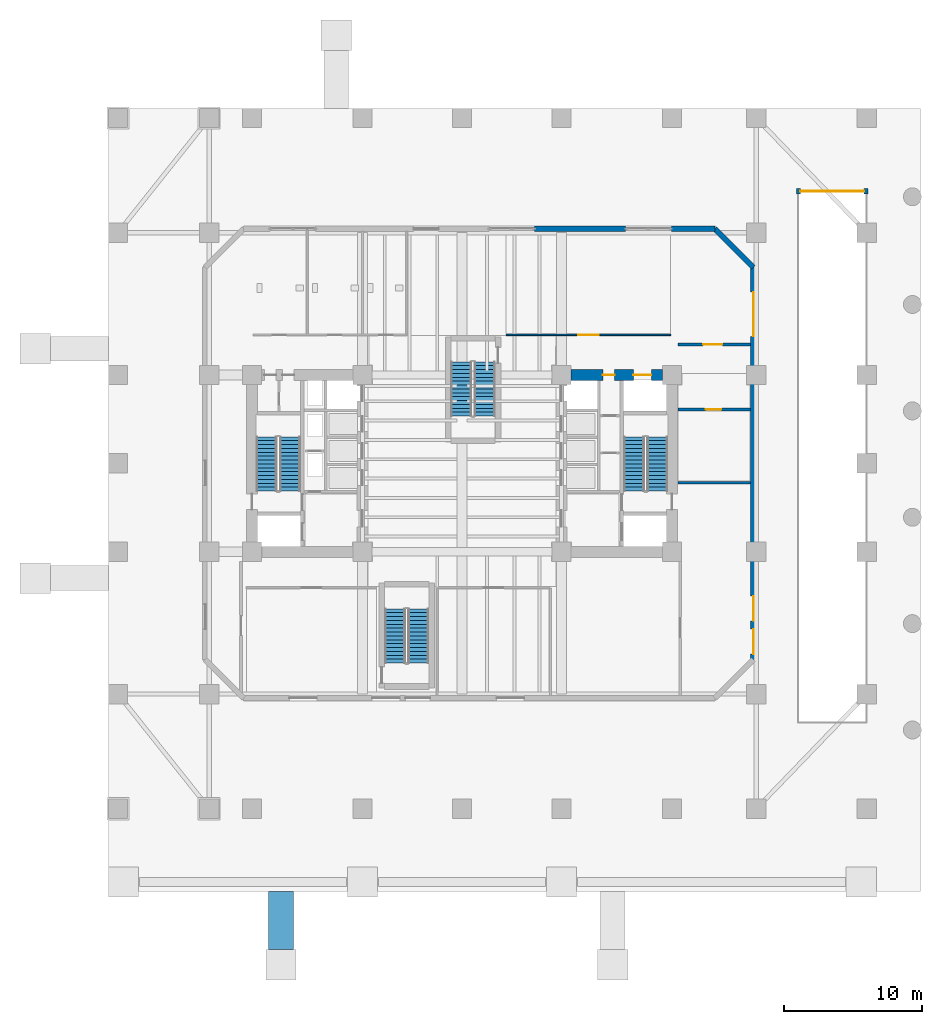
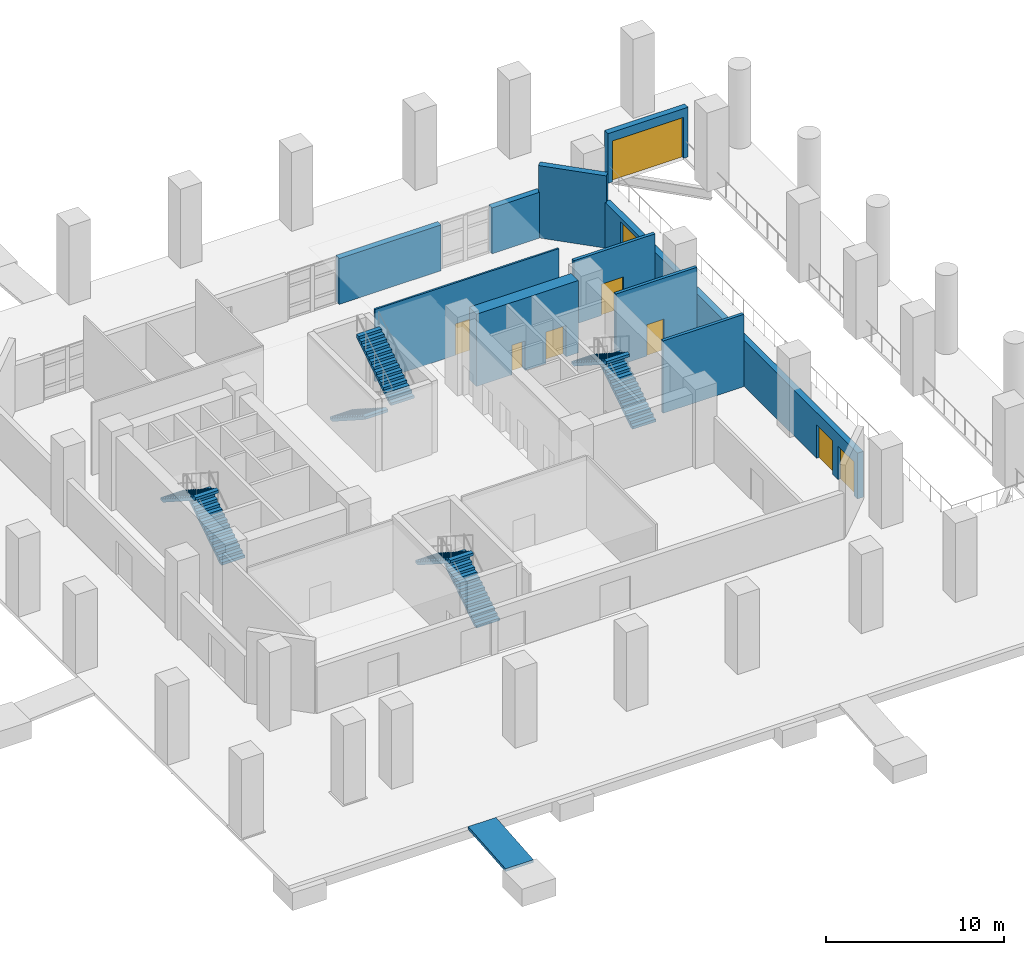
# One storey, part 6 of 12: 10 walls, 9 doors, 8 stair flights, 1 ramp flight, 9 openings, 5 elements without a shape of their own.
"""IFC4 building model written with IfcOpenShell, lengths in metres."""

from ifc_helpers import new_model, si_unit, direction, frame, frame_2d, origin, place, context, subcontext, project, spatial, polyline, rectangle, outline, extrude, material, layer, layer_set, type_object, element, fill, aggregate, save


model = new_model("IFC4")

# Units and contexts
model_context = context("Model", 3, precision=1e-05, world=origin(), true_north=direction((0.0, 1.0)))
body_context = subcontext(model_context, "Body", "Model", "MODEL_VIEW")
ifc_project = project(units=[si_unit("LENGTHUNIT", "METRE"), si_unit("AREAUNIT", "SQUARE_METRE"), si_unit("VOLUMEUNIT", "CUBIC_METRE"), si_unit("PLANEANGLEUNIT", "RADIAN"), si_unit("MASSUNIT", "GRAM", prefix="KILO")], contexts=[model_context])

# Site, building, storey
site_placement = place(None, origin())
site = spatial("IfcSite", under=ifc_project, at=site_placement, CompositionType="ELEMENT")
building_placement = place(site_placement, origin())
building = spatial("IfcBuilding", under=site, at=building_placement, Name="Kranthara Brick Stack", CompositionType="ELEMENT")
storey_placement = place(building_placement, origin())
storey = spatial("IfcBuildingStorey", under=building, at=storey_placement, Name="L00", CompositionType="ELEMENT", Elevation=0.0)

# Walls
ifc_material_1 = material(Name="Kiln-fired clay brick masonry M15", Category="masonry")
ifc_layer_1 = layer(ifc_material_1, 0.3798828125)
ifc_layer_set_1 = layer_set([ifc_layer_1], Name="Kiln-fired clay brick masonry M15")
wall_type_1 = type_object("IfcWallType", Name="WL-BRK-PIER-380", PredefinedType="STANDARD", material=ifc_layer_set_1)
wall_1_placement = place(storey_placement, frame((33.25, 44.18994140625, 0.0), z_axis=(0.0, 0.0, 1.0), x_axis=(1.0, 0.0, 0.0)))
element("IfcWall", 1, at=wall_1_placement, inside=storey, type_object=wall_type_1, Name="L00 Exterior Brick Facade Wall NORTH 3", PredefinedType="STANDARD", context=body_context, shape_type="SweptSolid", body=[
    extrude(rectangle(XDim=6.60009765625, YDim=0.3798828125, at=frame_2d((3.300048828125, 0.0))), origin(), (0.0, 0.0, 1.0), 3.135009765625),
])
wall_2_placement = place(storey_placement, frame((43.14990234375, 44.18994140625, 0.0), z_axis=(0.0, 0.0, 1.0), x_axis=(1.0, 0.0, 0.0)))
element("IfcWall", 2, at=wall_2_placement, inside=storey, type_object=wall_type_1, Name="L00 Exterior Brick Facade Wall NORTH 4", PredefinedType="STANDARD", context=body_context, shape_type="SweptSolid", body=[
    extrude(rectangle(XDim=3.150146484375, YDim=0.3798828125, at=frame_2d((1.5751953125, 0.0))), origin(), (0.0, 0.0, 1.0), 3.135009765625),
])
wall_3_placement = place(storey_placement, frame((46.300048828125, 44.18994140625, 0.0), z_axis=(0.0, 0.0, 1.0), x_axis=(0.707106781187, -0.707106781187, 0.0)))
element("IfcWall", 3, at=wall_3_placement, inside=storey, type_object=wall_type_1, Name="L00 Exterior Brick Facade Wall NE 1", PredefinedType="STANDARD", context=body_context, shape_type="SweptSolid", body=[
    extrude(rectangle(XDim=3.94580078125, YDim=0.3798828125, at=frame_2d((1.972900390625, 0.0))), origin(), (0.0, 0.0, 1.0), 4.949951171875),
])

# Wall, openings, doors
wall_4_placement = place(storey_placement, frame((49.090087890625, 41.39990234375, 0.0), z_axis=(0.0, 0.0, 1.0), x_axis=(0.0, -1.0, 0.0)))
wall_4 = element("IfcWall", 4, at=wall_4_placement, inside=storey, type_object=wall_type_1, Name="L00 Exterior Brick Facade Wall EAST 1", PredefinedType="STANDARD", context=body_context, shape_type="SweptSolid", body=[
    extrude(rectangle(XDim=28.39990234375, YDim=0.3798828125, at=frame_2d((14.199951171875, 0.0))), origin(), (0.0, 0.0, 1.0), 3.135009765625),
])
opening_1_placement = place(wall_4_placement, frame((23.800048828125, 0.0, 0.0)))
opening_1 = element("IfcOpeningElement", 5, at=opening_1_placement, cuts=wall_4, Name="Opening ED01", PredefinedType="OPENING", context=body_context, shape_type="SweptSolid", body=[
    extrude(rectangle(XDim=1.800048828125, YDim=2.300048828125, at=frame_2d((0.89990234375, 1.14990234375))), frame((0.0, 0.199951171875, 0.0), z_axis=(0.0, -1.0, 0.0), x_axis=(1.0, 0.0, 0.0)), (0.0, 0.0, 1.0), 0.39990234375),
])
opening_2_placement = place(wall_4_placement, frame((26.199951171875, 0.0, 0.0)))
opening_2 = element("IfcOpeningElement", 6, at=opening_2_placement, cuts=wall_4, Name="Opening ED01", PredefinedType="OPENING", context=body_context, shape_type="SweptSolid", body=[
    extrude(rectangle(XDim=1.800048828125, YDim=2.300048828125, at=frame_2d((0.89990234375, 1.14990234375))), frame((0.0, 0.199951171875, 0.0), z_axis=(0.0, -1.0, 0.0), x_axis=(1.0, 0.0, 0.0)), (0.0, 0.0, 1.0), 0.39990234375),
])
opening_3_placement = place(wall_4_placement, frame((1.800048828125, 0.0, 0.0)))
opening_3 = element("IfcOpeningElement", 7, at=opening_3_placement, cuts=wall_4, Name="Opening LDK01", PredefinedType="OPENING", context=body_context, shape_type="SweptSolid", body=[
    extrude(rectangle(XDim=3.199951171875, YDim=2.85009765625, at=frame_2d((1.60009765625, 1.425048828125))), frame((0.0, 0.199951171875, 0.0), z_axis=(0.0, -1.0, 0.0), x_axis=(1.0, 0.0, 0.0)), (0.0, 0.0, 1.0), 0.39990234375),
])
ifc_material_2 = material(Name="Bronze anodised aluminium and laminated glass", Category="aluminium")
door_type_1 = type_object("IfcDoorType", Name="DR-DOCK-3200", OperationType="ROLLINGUP", PredefinedType="DOOR", material=ifc_material_2)
door_1_placement = place(opening_3_placement, origin())
door_1 = element("IfcDoor", 8, at=door_1_placement, inside=storey, type_object=door_type_1, Name="L00 Loading Dock Roller Shutter Door LDK-01", OperationType="ROLLINGUP", OverallHeight=2.85009765625, OverallWidth=3.199951171875, PredefinedType="DOOR", context=body_context, shape_type="SweptSolid", body=[
    extrude(rectangle(XDim=3.199951171875, YDim=2.85009765625, at=frame_2d((1.60009765625, 1.425048828125))), frame((0.0, 0.02490234375, 0.0), z_axis=(0.0, -1.0, 0.0), x_axis=(1.0, 0.0, 0.0)), (0.0, 0.0, 1.0), 0.050048828125),
])
fill(opening_3, door_1)
ifc_material_3 = material(Name="Bronze anodised aluminium and laminated glass", Category="aluminium")
door_type_2 = type_object("IfcDoorType", Name="DR-EXIT-1800", OperationType="DOUBLE_DOOR_SINGLE_SWING", PredefinedType="DOOR", material=ifc_material_3)
door_2_placement = place(opening_1_placement, origin())
door_2 = element("IfcDoor", 9, at=door_2_placement, inside=storey, type_object=door_type_2, Name="L00 Final Exit Discharge Door ED-03", OperationType="DOUBLE_DOOR_SINGLE_SWING", OverallHeight=2.300048828125, OverallWidth=1.800048828125, PredefinedType="DOOR", context=body_context, shape_type="SweptSolid", body=[
    extrude(rectangle(XDim=1.800048828125, YDim=2.300048828125, at=frame_2d((0.89990234375, 1.14990234375))), frame((0.0, 0.02490234375, 0.0), z_axis=(0.0, -1.0, 0.0), x_axis=(1.0, 0.0, 0.0)), (0.0, 0.0, 1.0), 0.050048828125),
])
fill(opening_1, door_2)
door_3_placement = place(opening_2_placement, origin())
door_3 = element("IfcDoor", 10, at=door_3_placement, inside=storey, type_object=door_type_2, Name="L00 Final Exit Discharge Door ED-04", OperationType="DOUBLE_DOOR_SINGLE_SWING", OverallHeight=2.300048828125, OverallWidth=1.800048828125, PredefinedType="DOOR", context=body_context, shape_type="SweptSolid", body=[
    extrude(rectangle(XDim=1.800048828125, YDim=2.300048828125, at=frame_2d((0.89990234375, 1.14990234375))), frame((0.0, 0.02490234375, 0.0), z_axis=(0.0, -1.0, 0.0), x_axis=(1.0, 0.0, 0.0)), (0.0, 0.0, 1.0), 0.050048828125),
])
fill(opening_2, door_3)

# Wall, opening, door
wall_5_placement = place(storey_placement, frame((52.199951171875, 46.89990234375, 0.0), z_axis=(0.0, 0.0, 1.0), x_axis=(1.0, 0.0, 0.0)))
wall_5 = element("IfcWall", 11, at=wall_5_placement, inside=storey, type_object=wall_type_1, Name="L00 Car Park Ramp Portal Exterior Wall", PredefinedType="STANDARD", context=body_context, shape_type="SweptSolid", body=[
    extrude(rectangle(XDim=5.199951171875, YDim=0.3798828125, at=frame_2d((2.60009765625, 0.0))), origin(), (0.0, 0.0, 1.0), 3.39990234375),
])
opening_4_placement = place(wall_5_placement, frame((0.300048828125, 0.0, 0.0)))
opening_4 = element("IfcOpeningElement", 12, at=opening_4_placement, cuts=wall_5, Name="Opening VG01", PredefinedType="OPENING", context=body_context, shape_type="SweptSolid", body=[
    extrude(rectangle(XDim=4.60009765625, YDim=2.800048828125, at=frame_2d((2.300048828125, 1.39990234375))), frame((0.0, 0.199951171875, 0.0), z_axis=(0.0, -1.0, 0.0), x_axis=(1.0, 0.0, 0.0)), (0.0, 0.0, 1.0), 0.39990234375),
])
ifc_material_4 = material(Name="Powder-coated galvanized steel sheet", Category="steel")
door_type_3 = type_object("IfcDoorType", Name="DR-VGATE-4600", OperationType="ROLLINGUP", PredefinedType="GATE", material=ifc_material_4)
door_4_placement = place(opening_4_placement, origin())
door_4 = element("IfcDoor", 13, at=door_4_placement, inside=storey, type_object=door_type_3, Name="Car Park Vehicle Ramp Roller Shutter Gate VG-01", OperationType="ROLLINGUP", OverallHeight=2.800048828125, OverallWidth=4.60009765625, PredefinedType="GATE", context=body_context, shape_type="SweptSolid", body=[
    extrude(rectangle(XDim=4.60009765625, YDim=2.800048828125, at=frame_2d((2.300048828125, 1.39990234375))), frame((0.0, 0.02490234375, 0.0), z_axis=(0.0, -1.0, 0.0), x_axis=(1.0, 0.0, 0.0)), (0.0, 0.0, 1.0), 0.050048828125),
])
fill(opening_4, door_4)

# Wall, openings, doors
ifc_material_5 = material(Name="Concrete C70/85", Category="concrete")
ifc_layer_2 = layer(ifc_material_5, 0.800048828125)
ifc_layer_set_2 = layer_set([ifc_layer_2], Name="Concrete C70/85")
wall_type_2 = type_object("IfcWallType", Name="WL-CORE-800", PredefinedType="SHEAR", material=ifc_layer_set_2)
wall_6_placement = place(storey_placement, frame((35.905029296875, 33.60009765625, 0.0), z_axis=(0.0, 0.0, 1.0), x_axis=(1.0, 0.0, 0.0)))
wall_6 = element("IfcWall", 14, at=wall_6_placement, inside=storey, type_object=wall_type_2, Name="L00 East Core Shear Wall North", PredefinedType="SHEAR", context=body_context, shape_type="SweptSolid", body=[
    extrude(rectangle(XDim=6.590087890625, YDim=0.800048828125, at=frame_2d((3.294921875, 0.0))), origin(), (0.0, 0.0, 1.0), 4.949951171875),
])
opening_5_placement = place(wall_6_placement, frame((4.4951171875, 0.0, 0.0)))
opening_5 = element("IfcOpeningElement", 15, at=opening_5_placement, cuts=wall_6, Name="Opening LD03", PredefinedType="OPENING", context=body_context, shape_type="SweptSolid", body=[
    extrude(rectangle(XDim=1.300048828125, YDim=2.14990234375, at=frame_2d((0.64990234375, 1.074951171875))), frame((0.0, 0.409912109375, 0.0), z_axis=(0.0, -1.0, 0.0), x_axis=(1.0, 0.0, 0.0)), (0.0, 0.0, 1.0), 0.820068359375),
])
opening_6_placement = place(wall_6_placement, frame((2.294921875, 0.0, 0.0)))
opening_6 = element("IfcOpeningElement", 16, at=opening_6_placement, cuts=wall_6, Name="Opening D10", PredefinedType="OPENING", context=body_context, shape_type="SweptSolid", body=[
    extrude(rectangle(XDim=0.85009765625, YDim=2.02001953125, at=frame_2d((0.425048828125, 1.010009765625))), frame((0.0, 0.409912109375, 0.0), z_axis=(0.0, -1.0, 0.0), x_axis=(1.0, 0.0, 0.0)), (0.0, 0.0, 1.0), 0.820068359375),
])
ifc_material_6 = material(Name="Stainless steel sliding landing door", Category="steel")
door_type_4 = type_object("IfcDoorType", Name="DR-LD-SV1300", OperationType="DOUBLE_DOOR_SLIDING", PredefinedType="DOOR", material=ifc_material_6)
door_5_placement = place(opening_5_placement, origin())
door_5 = element("IfcDoor", 17, at=door_5_placement, inside=storey, type_object=door_type_4, Name="L00 Stretcher Service Lift SV-01 Landing Door", OperationType="DOUBLE_DOOR_SLIDING", OverallHeight=2.14990234375, OverallWidth=1.300048828125, PredefinedType="DOOR", context=body_context, shape_type="SweptSolid", body=[
    extrude(rectangle(XDim=1.300048828125, YDim=2.14990234375, at=frame_2d((0.64990234375, 1.074951171875))), frame((0.0, 0.02490234375, 0.0), z_axis=(0.0, -1.0, 0.0), x_axis=(1.0, 0.0, 0.0)), (0.0, 0.0, 1.0), 0.050048828125),
])
fill(opening_5, door_5)
ifc_material_7 = material(Name="Solid-core hardwood timber leaf in steel frame", Category="steel")
door_type_5 = type_object("IfcDoorType", Name="DR-RSR-850", OperationType="NOTDEFINED", PredefinedType="DOOR", material=ifc_material_7)
door_6_placement = place(opening_6_placement, origin())
door_6 = element("IfcDoor", 18, at=door_6_placement, inside=storey, type_object=door_type_5, Name="L00 East Core Service Room Door", OperationType="SINGLE_SWING_LEFT", OverallHeight=2.02001953125, OverallWidth=0.85009765625, PredefinedType="DOOR", context=body_context, shape_type="SweptSolid", body=[
    extrude(rectangle(XDim=0.85009765625, YDim=2.02001953125, at=frame_2d((0.425048828125, 1.010009765625))), frame((0.0, 0.02490234375, 0.0), z_axis=(0.0, -1.0, 0.0), x_axis=(1.0, 0.0, 0.0)), (0.0, 0.0, 1.0), 0.050048828125),
])
fill(opening_6, door_6)

# Wall, opening, door
ifc_material_8 = material(Name="Acoustic gypsum plasterboard partition", Category="other")
ifc_layer_3 = layer(ifc_material_8, 0.1201171875)
ifc_layer_set_3 = layer_set([ifc_layer_3], Name="Acoustic gypsum plasterboard partition")
wall_type_3 = type_object("IfcWallType", Name="WL-PART-120", PredefinedType="PARTITIONING", material=ifc_layer_set_3)
wall_7_placement = place(storey_placement, frame((31.199951171875, 36.5, 0.0), z_axis=(0.0, 0.0, 1.0), x_axis=(1.0, 0.0, 0.0)))
wall_7 = element("IfcWall", 19, at=wall_7_placement, inside=storey, type_object=wall_type_3, Name="L00 Interior Partition 018", PredefinedType="PARTITIONING", context=body_context, shape_type="SweptSolid", body=[
    extrude(rectangle(XDim=11.900146484375, YDim=0.1201171875, at=frame_2d((5.9501953125, 0.0))), origin(), (0.0, 0.0, 1.0), 4.949951171875),
])
opening_7_placement = place(wall_7_placement, frame((5.199951171875, 0.0, 0.0)))
opening_7 = element("IfcOpeningElement", 20, at=opening_7_placement, cuts=wall_7, Name="Opening D20", PredefinedType="OPENING", context=body_context, shape_type="SweptSolid", body=[
    extrude(rectangle(XDim=1.5, YDim=2.14990234375, at=frame_2d((0.75, 1.074951171875))), frame((0.0, 0.070068359375, 0.0), z_axis=(0.0, -1.0, 0.0), x_axis=(1.0, 0.0, 0.0)), (0.0, 0.0, 1.0), 0.14013671875),
])
ifc_material_9 = material(Name="Solid-core hardwood timber leaf in steel frame", Category="steel")
door_type_6 = type_object("IfcDoorType", Name="DR-DBL-1500", OperationType="DOUBLE_DOOR_SINGLE_SWING", PredefinedType="DOOR", material=ifc_material_9)
door_7_placement = place(opening_7_placement, origin())
door_7 = element("IfcDoor", 21, at=door_7_placement, inside=storey, type_object=door_type_6, Name="L00 Concierge Lounge Door 14", OperationType="DOUBLE_DOOR_SINGLE_SWING", OverallHeight=2.14990234375, OverallWidth=1.5, PredefinedType="DOOR", context=body_context, shape_type="SweptSolid", body=[
    extrude(rectangle(XDim=1.5, YDim=2.14990234375, at=frame_2d((0.75, 1.074951171875))), frame((0.0, 0.02490234375, 0.0), z_axis=(0.0, -1.0, 0.0), x_axis=(1.0, 0.0, 0.0)), (0.0, 0.0, 1.0), 0.050048828125),
])
fill(opening_7, door_7)

# Wall
ifc_material_10 = material(Name="Concrete C40/50", Category="concrete")
ifc_layer_4 = layer(ifc_material_10, 0.199951171875)
ifc_layer_set_4 = layer_set([ifc_layer_4], Name="Concrete C40/50")
wall_type_4 = type_object("IfcWallType", Name="WL-PART-200", PredefinedType="SOLIDWALL", material=ifc_layer_set_4)
wall_8_placement = place(storey_placement, frame((43.64990234375, 25.800048828125, 0.0), z_axis=(0.0, 0.0, 1.0), x_axis=(1.0, 0.0, 0.0)))
element("IfcWall", 22, at=wall_8_placement, inside=storey, type_object=wall_type_4, Name="L00 Interior Partition 007", PredefinedType="SOLIDWALL", context=body_context, shape_type="SweptSolid", body=[
    extrude(rectangle(XDim=5.2451171875, YDim=0.199951171875, at=frame_2d((2.62255859375, 0.0))), origin(), (0.0, 0.0, 1.0), 4.949951171875),
])

# Wall, opening, door
wall_9_placement = place(storey_placement, frame((43.64990234375, 31.10009765625, 0.0), z_axis=(0.0, 0.0, 1.0), x_axis=(1.0, 0.0, 0.0)))
wall_9 = element("IfcWall", 23, at=wall_9_placement, inside=storey, type_object=wall_type_4, Name="L00 Interior Partition 008", PredefinedType="SOLIDWALL", context=body_context, shape_type="SweptSolid", body=[
    extrude(rectangle(XDim=5.2451171875, YDim=0.199951171875, at=frame_2d((2.62255859375, 0.0))), origin(), (0.0, 0.0, 1.0), 4.949951171875),
])
opening_8_placement = place(wall_9_placement, frame((2.0, 0.0, 0.0)))
opening_8 = element("IfcOpeningElement", 24, at=opening_8_placement, cuts=wall_9, Name="Opening D07", PredefinedType="OPENING", context=body_context, shape_type="SweptSolid", body=[
    extrude(rectangle(XDim=1.10009765625, YDim=2.14990234375, at=frame_2d((0.550048828125, 1.074951171875))), frame((0.0, 0.10986328125, 0.0), z_axis=(0.0, -1.0, 0.0), x_axis=(1.0, 0.0, 0.0)), (0.0, 0.0, 1.0), 0.219970703125),
])
ifc_material_11 = material(Name="Solid-core hardwood timber leaf in steel frame", Category="steel")
door_type_7 = type_object("IfcDoorType", Name="DR-FD-1100", OperationType="NOTDEFINED", PredefinedType="DOOR", material=ifc_material_11)
door_8_placement = place(opening_8_placement, origin())
door_8 = element("IfcDoor", 25, at=door_8_placement, inside=storey, type_object=door_type_7, Name="L00 Fire Command Center Door 07", OperationType="SINGLE_SWING_LEFT", OverallHeight=2.14990234375, OverallWidth=1.10009765625, PredefinedType="DOOR", context=body_context, shape_type="SweptSolid", body=[
    extrude(rectangle(XDim=1.10009765625, YDim=2.14990234375, at=frame_2d((0.550048828125, 1.074951171875))), frame((0.0, 0.02490234375, 0.0), z_axis=(0.0, -1.0, 0.0), x_axis=(1.0, 0.0, 0.0)), (0.0, 0.0, 1.0), 0.050048828125),
])
fill(opening_8, door_8)

wall_10_placement = place(storey_placement, frame((43.64990234375, 35.800048828125, 0.0), z_axis=(0.0, 0.0, 1.0), x_axis=(1.0, 0.0, 0.0)))
wall_10 = element("IfcWall", 26, at=wall_10_placement, inside=storey, type_object=wall_type_4, Name="L00 Interior Partition 009", PredefinedType="SOLIDWALL", context=body_context, shape_type="SweptSolid", body=[
    extrude(rectangle(XDim=5.2451171875, YDim=0.199951171875, at=frame_2d((2.62255859375, 0.0))), origin(), (0.0, 0.0, 1.0), 4.385009765625),
])
opening_9_placement = place(wall_10_placement, frame((1.800048828125, 0.0, 0.0)))
opening_9 = element("IfcOpeningElement", 27, at=opening_9_placement, cuts=wall_10, Name="Opening D19", PredefinedType="OPENING", context=body_context, shape_type="SweptSolid", body=[
    extrude(rectangle(XDim=1.39990234375, YDim=2.14990234375, at=frame_2d((0.699951171875, 1.074951171875))), frame((0.0, 0.10986328125, 0.0), z_axis=(0.0, -1.0, 0.0), x_axis=(1.0, 0.0, 0.0)), (0.0, 0.0, 1.0), 0.219970703125),
])
ifc_material_12 = material(Name="Solid-core hardwood timber leaf in steel frame", Category="steel")
door_type_8 = type_object("IfcDoorType", Name="DR-DBL-1400", OperationType="DOUBLE_DOOR_SINGLE_SWING", PredefinedType="DOOR", material=ifc_material_12)
door_9_placement = place(opening_9_placement, origin())
door_9 = element("IfcDoor", 28, at=door_9_placement, inside=storey, type_object=door_type_8, Name="L00 Goods Lobby Door 08", OperationType="DOUBLE_DOOR_SINGLE_SWING", OverallHeight=2.14990234375, OverallWidth=1.39990234375, PredefinedType="DOOR", context=body_context, shape_type="SweptSolid", body=[
    extrude(rectangle(XDim=1.39990234375, YDim=2.14990234375, at=frame_2d((0.699951171875, 1.074951171875))), frame((0.0, 0.02490234375, 0.0), z_axis=(0.0, -1.0, 0.0), x_axis=(1.0, 0.0, 0.0)), (0.0, 0.0, 1.0), 0.050048828125),
])
fill(opening_9, door_9)

# Stair, stair flights
ifc_material_13 = material(Name="Concrete C45/55", Category="concrete")
stair_type = type_object("IfcStairType", Name="ST-CORE-30R", PredefinedType="HALF_TURN_STAIR", material=ifc_material_13)
stair_1_placement = place(storey_placement, origin())
stair_1 = element("IfcStair", 29, at=stair_1_placement, inside=storey, type_object=stair_type, Name="L00 West Core Protected Exit Stair ST01", PredefinedType="HALF_TURN_STAIR")
ifc_material_14 = material(Name="Concrete C45/55", Category="concrete")
stair_flight_type = type_object("IfcStairFlightType", Name="SFL-RC-30R", PredefinedType="STRAIGHT", material=ifc_material_14)
stair_flight_1_placement = place(storey_placement, frame((15.550048828125, 25.199951171875, 0.0), z_axis=(0.0, 0.0, 1.0), x_axis=(0.0, 1.0, 0.0)))
stair_flight_1 = element("IfcStairFlight", 30, at=stair_flight_1_placement, type_object=stair_flight_type, Name="ST01 flight 1", NumberOfRisers=15, NumberOfTreads=14, PredefinedType="STRAIGHT", RiserHeight=0.18, TreadLength=0.28, context=body_context, shape_type="SweptSolid", body=[
    extrude(outline(polyline([(0.0, 0.0), (0.0, 0.179931640625), (0.280029296875, 0.179931640625), (0.280029296875, 0.360107421875), (0.56005859375, 0.360107421875), (0.56005859375, 0.5400390625), (0.840087890625, 0.5400390625), (0.840087890625, 0.719970703125), (1.1201171875, 0.719970703125), (1.1201171875, 0.89990234375), (1.39990234375, 0.89990234375), (1.39990234375, 1.080078125), (1.679931640625, 1.080078125), (1.679931640625, 1.260009765625), (1.9599609375, 1.260009765625), (1.9599609375, 1.43994140625), (2.239990234375, 1.43994140625), (2.239990234375, 1.6201171875), (2.52001953125, 1.6201171875), (2.52001953125, 1.800048828125), (2.800048828125, 1.800048828125), (2.800048828125, 1.97998046875), (3.080078125, 1.97998046875), (3.080078125, 2.159912109375), (3.360107421875, 2.159912109375), (3.360107421875, 2.340087890625), (3.639892578125, 2.340087890625), (3.639892578125, 2.52001953125), (3.919921875, 2.52001953125), (3.919921875, 2.699951171875), (3.919921875, 2.341796875), (0.277099609375, 0.0), (0.0, 0.0)])), frame((0.0, 0.75, 0.0), z_axis=(0.0, -1.0, 0.0), x_axis=(1.0, 0.0, 0.0)), (0.0, 0.0, 1.0), 1.5),
])
stair_flight_2_placement = place(storey_placement, frame((13.85009765625, 29.1201171875, 2.699951171875), z_axis=(0.0, 0.0, 1.0), x_axis=(0.0, -1.0, 0.0)))
stair_flight_2 = element("IfcStairFlight", 31, at=stair_flight_2_placement, type_object=stair_flight_type, Name="ST01 flight 2", NumberOfRisers=15, NumberOfTreads=14, PredefinedType="STRAIGHT", RiserHeight=0.18, TreadLength=0.28, context=body_context, shape_type="SweptSolid", body=[
    extrude(outline(polyline([(0.0, 0.0), (0.0, 0.179931640625), (0.280029296875, 0.179931640625), (0.280029296875, 0.360107421875), (0.56005859375, 0.360107421875), (0.56005859375, 0.5400390625), (0.840087890625, 0.5400390625), (0.840087890625, 0.719970703125), (1.1201171875, 0.719970703125), (1.1201171875, 0.89990234375), (1.39990234375, 0.89990234375), (1.39990234375, 1.080078125), (1.679931640625, 1.080078125), (1.679931640625, 1.260009765625), (1.9599609375, 1.260009765625), (1.9599609375, 1.43994140625), (2.239990234375, 1.43994140625), (2.239990234375, 1.6201171875), (2.52001953125, 1.6201171875), (2.52001953125, 1.800048828125), (2.800048828125, 1.800048828125), (2.800048828125, 1.97998046875), (3.080078125, 1.97998046875), (3.080078125, 2.159912109375), (3.360107421875, 2.159912109375), (3.360107421875, 2.340087890625), (3.639892578125, 2.340087890625), (3.639892578125, 2.52001953125), (3.919921875, 2.52001953125), (3.919921875, 2.699951171875), (3.919921875, 2.341796875), (0.277099609375, 0.0), (0.0, 0.0)])), frame((0.0, 0.75, 0.0), z_axis=(0.0, -1.0, 0.0), x_axis=(1.0, 0.0, 0.0)), (0.0, 0.0, 1.0), 1.5),
])
aggregate(stair_1, [stair_flight_1, stair_flight_2])

stair_2_placement = place(storey_placement, origin())
stair_2 = element("IfcStair", 32, at=stair_2_placement, inside=storey, type_object=stair_type, Name="L00 East Core Protected Exit Stair ST02", PredefinedType="HALF_TURN_STAIR")
stair_flight_3_placement = place(storey_placement, frame((42.14990234375, 25.199951171875, 0.0), z_axis=(0.0, 0.0, 1.0), x_axis=(0.0, 1.0, 0.0)))
stair_flight_3 = element("IfcStairFlight", 33, at=stair_flight_3_placement, type_object=stair_flight_type, Name="ST02 flight 1", NumberOfRisers=15, NumberOfTreads=14, PredefinedType="STRAIGHT", RiserHeight=0.18, TreadLength=0.28, context=body_context, shape_type="SweptSolid", body=[
    extrude(outline(polyline([(0.0, 0.0), (0.0, 0.179931640625), (0.280029296875, 0.179931640625), (0.280029296875, 0.360107421875), (0.56005859375, 0.360107421875), (0.56005859375, 0.5400390625), (0.840087890625, 0.5400390625), (0.840087890625, 0.719970703125), (1.1201171875, 0.719970703125), (1.1201171875, 0.89990234375), (1.39990234375, 0.89990234375), (1.39990234375, 1.080078125), (1.679931640625, 1.080078125), (1.679931640625, 1.260009765625), (1.9599609375, 1.260009765625), (1.9599609375, 1.43994140625), (2.239990234375, 1.43994140625), (2.239990234375, 1.6201171875), (2.52001953125, 1.6201171875), (2.52001953125, 1.800048828125), (2.800048828125, 1.800048828125), (2.800048828125, 1.97998046875), (3.080078125, 1.97998046875), (3.080078125, 2.159912109375), (3.360107421875, 2.159912109375), (3.360107421875, 2.340087890625), (3.639892578125, 2.340087890625), (3.639892578125, 2.52001953125), (3.919921875, 2.52001953125), (3.919921875, 2.699951171875), (3.919921875, 2.341796875), (0.277099609375, 0.0), (0.0, 0.0)])), frame((0.0, 0.75, 0.0), z_axis=(0.0, -1.0, 0.0), x_axis=(1.0, 0.0, 0.0)), (0.0, 0.0, 1.0), 1.5),
])
stair_flight_4_placement = place(storey_placement, frame((40.449951171875, 29.1201171875, 2.699951171875), z_axis=(0.0, 0.0, 1.0), x_axis=(0.0, -1.0, 0.0)))
stair_flight_4 = element("IfcStairFlight", 34, at=stair_flight_4_placement, type_object=stair_flight_type, Name="ST02 flight 2", NumberOfRisers=15, NumberOfTreads=14, PredefinedType="STRAIGHT", RiserHeight=0.18, TreadLength=0.28, context=body_context, shape_type="SweptSolid", body=[
    extrude(outline(polyline([(0.0, 0.0), (0.0, 0.179931640625), (0.280029296875, 0.179931640625), (0.280029296875, 0.360107421875), (0.56005859375, 0.360107421875), (0.56005859375, 0.5400390625), (0.840087890625, 0.5400390625), (0.840087890625, 0.719970703125), (1.1201171875, 0.719970703125), (1.1201171875, 0.89990234375), (1.39990234375, 0.89990234375), (1.39990234375, 1.080078125), (1.679931640625, 1.080078125), (1.679931640625, 1.260009765625), (1.9599609375, 1.260009765625), (1.9599609375, 1.43994140625), (2.239990234375, 1.43994140625), (2.239990234375, 1.6201171875), (2.52001953125, 1.6201171875), (2.52001953125, 1.800048828125), (2.800048828125, 1.800048828125), (2.800048828125, 1.97998046875), (3.080078125, 1.97998046875), (3.080078125, 2.159912109375), (3.360107421875, 2.159912109375), (3.360107421875, 2.340087890625), (3.639892578125, 2.340087890625), (3.639892578125, 2.52001953125), (3.919921875, 2.52001953125), (3.919921875, 2.699951171875), (3.919921875, 2.341796875), (0.277099609375, 0.0), (0.0, 0.0)])), frame((0.0, 0.75, 0.0), z_axis=(0.0, -1.0, 0.0), x_axis=(1.0, 0.0, 0.0)), (0.0, 0.0, 1.0), 1.5),
])
aggregate(stair_2, [stair_flight_3, stair_flight_4])

stair_3_placement = place(storey_placement, origin())
stair_3 = element("IfcStair", 35, at=stair_3_placement, inside=storey, type_object=stair_type, Name="L00 Podium South Protected Exit Stair ST03", PredefinedType="HALF_TURN_STAIR")
stair_flight_5_placement = place(storey_placement, frame((24.85009765625, 12.75, 0.0), z_axis=(0.0, 0.0, 1.0), x_axis=(0.0, 1.0, 0.0)))
stair_flight_5 = element("IfcStairFlight", 36, at=stair_flight_5_placement, type_object=stair_flight_type, Name="ST03 flight 1", NumberOfRisers=15, NumberOfTreads=14, PredefinedType="STRAIGHT", RiserHeight=0.18, TreadLength=0.28, context=body_context, shape_type="SweptSolid", body=[
    extrude(outline(polyline([(0.0, 0.0), (0.0, 0.179931640625), (0.280029296875, 0.179931640625), (0.280029296875, 0.360107421875), (0.56005859375, 0.360107421875), (0.56005859375, 0.5400390625), (0.840087890625, 0.5400390625), (0.840087890625, 0.719970703125), (1.1201171875, 0.719970703125), (1.1201171875, 0.89990234375), (1.39990234375, 0.89990234375), (1.39990234375, 1.080078125), (1.679931640625, 1.080078125), (1.679931640625, 1.260009765625), (1.9599609375, 1.260009765625), (1.9599609375, 1.43994140625), (2.239990234375, 1.43994140625), (2.239990234375, 1.6201171875), (2.52001953125, 1.6201171875), (2.52001953125, 1.800048828125), (2.800048828125, 1.800048828125), (2.800048828125, 1.97998046875), (3.080078125, 1.97998046875), (3.080078125, 2.159912109375), (3.360107421875, 2.159912109375), (3.360107421875, 2.340087890625), (3.639892578125, 2.340087890625), (3.639892578125, 2.52001953125), (3.919921875, 2.52001953125), (3.919921875, 2.699951171875), (3.919921875, 2.341796875), (0.277099609375, 0.0), (0.0, 0.0)])), frame((0.0, 0.75, 0.0), z_axis=(0.0, -1.0, 0.0), x_axis=(1.0, 0.0, 0.0)), (0.0, 0.0, 1.0), 1.5),
])
stair_flight_6_placement = place(storey_placement, frame((23.14990234375, 16.669921875, 2.699951171875), z_axis=(0.0, 0.0, 1.0), x_axis=(0.0, -1.0, 0.0)))
stair_flight_6 = element("IfcStairFlight", 37, at=stair_flight_6_placement, type_object=stair_flight_type, Name="ST03 flight 2", NumberOfRisers=15, NumberOfTreads=14, PredefinedType="STRAIGHT", RiserHeight=0.18, TreadLength=0.28, context=body_context, shape_type="SweptSolid", body=[
    extrude(outline(polyline([(0.0, 0.0), (0.0, 0.179931640625), (0.280029296875, 0.179931640625), (0.280029296875, 0.360107421875), (0.56005859375, 0.360107421875), (0.56005859375, 0.5400390625), (0.840087890625, 0.5400390625), (0.840087890625, 0.719970703125), (1.1201171875, 0.719970703125), (1.1201171875, 0.89990234375), (1.39990234375, 0.89990234375), (1.39990234375, 1.080078125), (1.679931640625, 1.080078125), (1.679931640625, 1.260009765625), (1.9599609375, 1.260009765625), (1.9599609375, 1.43994140625), (2.239990234375, 1.43994140625), (2.239990234375, 1.6201171875), (2.52001953125, 1.6201171875), (2.52001953125, 1.800048828125), (2.800048828125, 1.800048828125), (2.800048828125, 1.97998046875), (3.080078125, 1.97998046875), (3.080078125, 2.159912109375), (3.360107421875, 2.159912109375), (3.360107421875, 2.340087890625), (3.639892578125, 2.340087890625), (3.639892578125, 2.52001953125), (3.919921875, 2.52001953125), (3.919921875, 2.699951171875), (3.919921875, 2.341796875), (0.277099609375, 0.0), (0.0, 0.0)])), frame((0.0, 0.75, 0.0), z_axis=(0.0, -1.0, 0.0), x_axis=(1.0, 0.0, 0.0)), (0.0, 0.0, 1.0), 1.5),
])
aggregate(stair_3, [stair_flight_5, stair_flight_6])

stair_4_placement = place(storey_placement, origin())
stair_4 = element("IfcStair", 38, at=stair_4_placement, inside=storey, type_object=stair_type, Name="L00 Podium North Protected Exit Stair ST04", PredefinedType="HALF_TURN_STAIR")
stair_flight_7_placement = place(storey_placement, frame((27.949951171875, 34.550048828125, 0.0), z_axis=(0.0, 0.0, 1.0), x_axis=(0.0, -1.0, 0.0)))
stair_flight_7 = element("IfcStairFlight", 39, at=stair_flight_7_placement, type_object=stair_flight_type, Name="ST04 flight 1", NumberOfRisers=15, NumberOfTreads=14, PredefinedType="STRAIGHT", RiserHeight=0.18, TreadLength=0.28, context=body_context, shape_type="SweptSolid", body=[
    extrude(outline(polyline([(0.0, 0.0), (0.0, 0.179931640625), (0.280029296875, 0.179931640625), (0.280029296875, 0.360107421875), (0.56005859375, 0.360107421875), (0.56005859375, 0.5400390625), (0.840087890625, 0.5400390625), (0.840087890625, 0.719970703125), (1.1201171875, 0.719970703125), (1.1201171875, 0.89990234375), (1.39990234375, 0.89990234375), (1.39990234375, 1.080078125), (1.679931640625, 1.080078125), (1.679931640625, 1.260009765625), (1.9599609375, 1.260009765625), (1.9599609375, 1.43994140625), (2.239990234375, 1.43994140625), (2.239990234375, 1.6201171875), (2.52001953125, 1.6201171875), (2.52001953125, 1.800048828125), (2.800048828125, 1.800048828125), (2.800048828125, 1.97998046875), (3.080078125, 1.97998046875), (3.080078125, 2.159912109375), (3.360107421875, 2.159912109375), (3.360107421875, 2.340087890625), (3.639892578125, 2.340087890625), (3.639892578125, 2.52001953125), (3.919921875, 2.52001953125), (3.919921875, 2.699951171875), (3.919921875, 2.341796875), (0.277099609375, 0.0), (0.0, 0.0)])), frame((0.0, 0.75, 0.0), z_axis=(0.0, -1.0, 0.0), x_axis=(1.0, 0.0, 0.0)), (0.0, 0.0, 1.0), 1.5),
])
stair_flight_8_placement = place(storey_placement, frame((29.64990234375, 30.6298828125, 2.699951171875), z_axis=(0.0, 0.0, 1.0), x_axis=(0.0, 1.0, 0.0)))
stair_flight_8 = element("IfcStairFlight", 40, at=stair_flight_8_placement, type_object=stair_flight_type, Name="ST04 flight 2", NumberOfRisers=15, NumberOfTreads=14, PredefinedType="STRAIGHT", RiserHeight=0.18, TreadLength=0.28, context=body_context, shape_type="SweptSolid", body=[
    extrude(outline(polyline([(0.0, 0.0), (0.0, 0.179931640625), (0.280029296875, 0.179931640625), (0.280029296875, 0.360107421875), (0.56005859375, 0.360107421875), (0.56005859375, 0.5400390625), (0.840087890625, 0.5400390625), (0.840087890625, 0.719970703125), (1.1201171875, 0.719970703125), (1.1201171875, 0.89990234375), (1.39990234375, 0.89990234375), (1.39990234375, 1.080078125), (1.679931640625, 1.080078125), (1.679931640625, 1.260009765625), (1.9599609375, 1.260009765625), (1.9599609375, 1.43994140625), (2.239990234375, 1.43994140625), (2.239990234375, 1.6201171875), (2.52001953125, 1.6201171875), (2.52001953125, 1.800048828125), (2.800048828125, 1.800048828125), (2.800048828125, 1.97998046875), (3.080078125, 1.97998046875), (3.080078125, 2.159912109375), (3.360107421875, 2.159912109375), (3.360107421875, 2.340087890625), (3.639892578125, 2.340087890625), (3.639892578125, 2.52001953125), (3.919921875, 2.52001953125), (3.919921875, 2.699951171875), (3.919921875, 2.341796875), (0.277099609375, 0.0), (0.0, 0.0)])), frame((0.0, 0.75, 0.0), z_axis=(0.0, -1.0, 0.0), x_axis=(1.0, 0.0, 0.0)), (0.0, 0.0, 1.0), 1.5),
])
aggregate(stair_4, [stair_flight_7, stair_flight_8])

# Ramp, ramp flight
ifc_material_15 = material(Name="Concrete C40/50", Category="concrete")
ramp_type = type_object("IfcRampType", Name="RMP-PED-ACC", PredefinedType="STRAIGHT_RUN_RAMP", material=ifc_material_15)
ramp_placement = place(storey_placement, origin())
ramp = element("IfcRamp", 41, at=ramp_placement, inside=storey, type_object=ramp_type, Name="L00 Accessible Entrance Ramp S1", PredefinedType="STRAIGHT_RUN_RAMP")
ifc_material_16 = material(Name="Concrete C40/50", Category="concrete")
ifc_layer_5 = layer(ifc_material_16, 0.199951171875)
ifc_layer_set_5 = layer_set([ifc_layer_5], Name="Concrete C40/50")
ramp_flight_type = type_object("IfcRampFlightType", Name="RMF-PED-200", PredefinedType="STRAIGHT", material=ifc_layer_set_5)
ramp_flight_placement = place(storey_placement, frame((14.0, -8.0, -0.35009765625), z_axis=(0.0, -0.083069450238, 0.996543760423), x_axis=(1.0, 0.0, 0.0)))
ramp_flight = element("IfcRampFlight", 42, at=ramp_flight_placement, type_object=ramp_flight_type, Name="L00 Accessible Entrance Ramp Flight S1", PredefinedType="STRAIGHT", context=body_context, shape_type="SweptSolid", body=[
    extrude(outline(polyline([(0.0, 0.0), (1.800048828125, 0.0), (1.800048828125, 4.214517554245792), (0.0, 4.214517554245792), (0.0, 0.0)])), origin(), (0.0, 0.0, -1.0), 0.199951171875),
])
aggregate(ramp, [ramp_flight])

save(model, "model.ifc")
